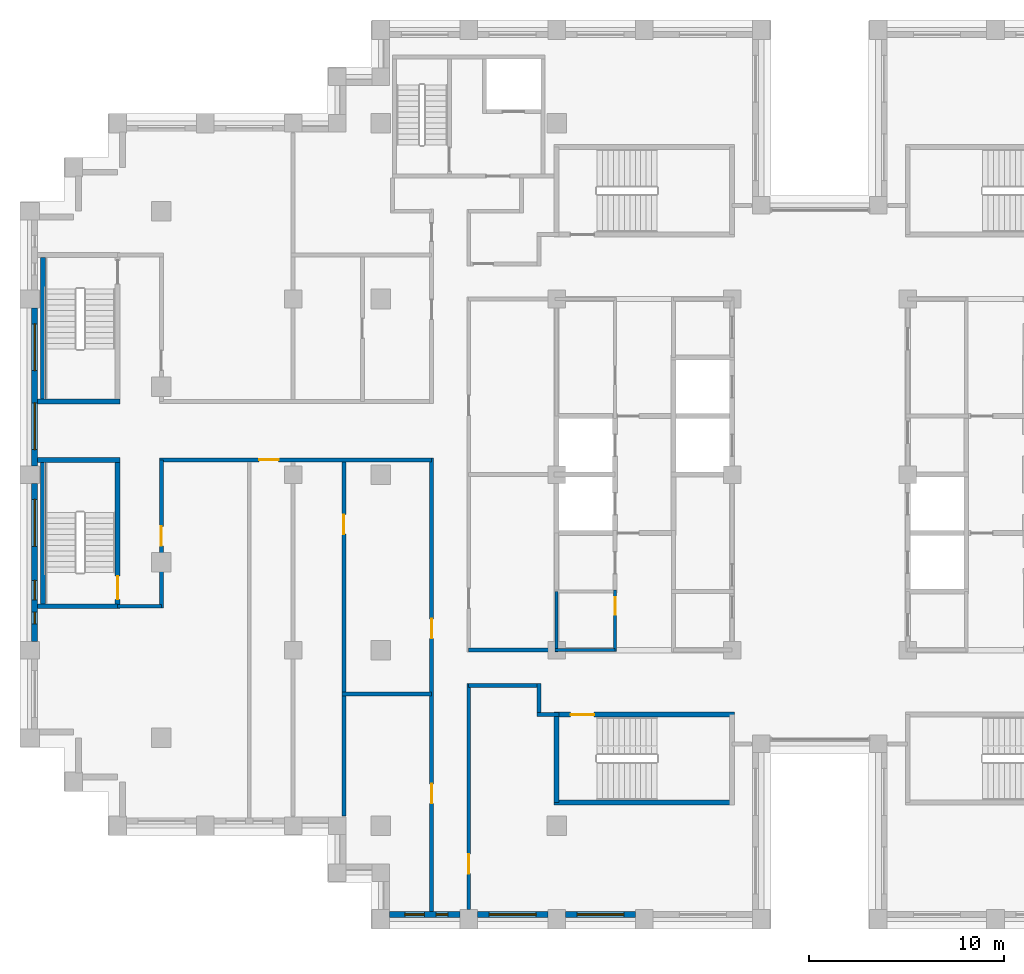
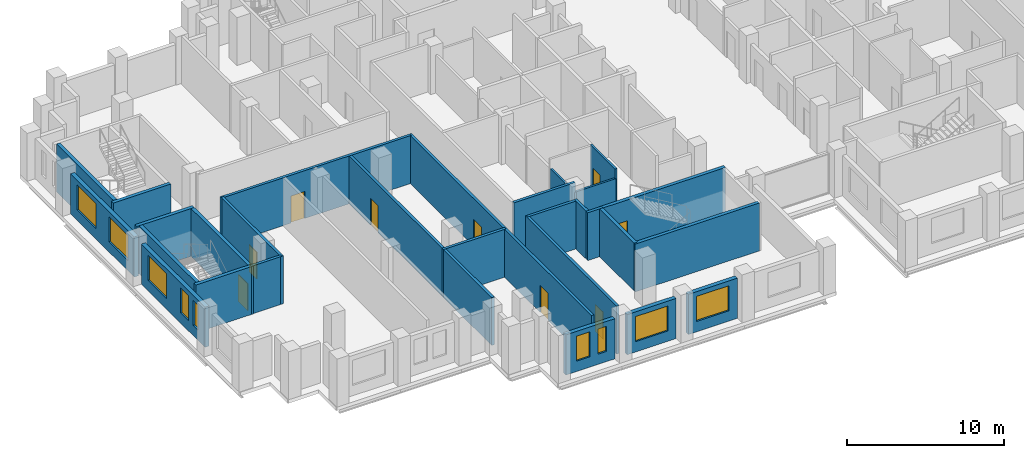
# One storey, part 6 of 15: 28 walls, 9 doors, 9 windows, 18 openings.
"""IFC4 building model written with IfcOpenShell, lengths in metres."""

from ifc_helpers import new_model, si_unit, direction, frame, frame_2d, origin, place, context, subcontext, project, spatial, rectangle, extrude, material, layer, layer_set, type_object, element, fill, save


model = new_model("IFC4")

# Units and contexts
model_context = context("Model", 3, precision=1e-05, world=origin(), true_north=direction((0.0, 1.0)))
body_context = subcontext(model_context, "Body", "Model", "MODEL_VIEW")
ifc_project = project(units=[si_unit("LENGTHUNIT", "METRE"), si_unit("AREAUNIT", "SQUARE_METRE"), si_unit("VOLUMEUNIT", "CUBIC_METRE"), si_unit("PLANEANGLEUNIT", "RADIAN"), si_unit("MASSUNIT", "GRAM", prefix="KILO")], contexts=[model_context])

# Site, building, storey
site_placement = place(None, origin())
site = spatial("IfcSite", under=ifc_project, at=site_placement, CompositionType="ELEMENT")
building_placement = place(site_placement, origin())
building = spatial("IfcBuilding", under=site, at=building_placement, Name="Corbelhall Arena Tower", CompositionType="ELEMENT")
storey_placement = place(building_placement, frame((0.0, 0.0, 196.0)))
storey = spatial("IfcBuildingStorey", under=building, at=storey_placement, Name="L40", CompositionType="ELEMENT", Elevation=196.0)

# Wall, openings, windows
ifc_material_1 = material(Name="Precast concrete C40/50 with granite facing", Category="masonry")
ifc_layer_1 = layer(ifc_material_1, 0.300048828125)
ifc_layer_set_1 = layer_set([ifc_layer_1], Name="EV-IW1 Infill panel 300")
wall_type_1 = type_object("IfcWallType", Name="EV-IW1 Infill panel 300", PredefinedType="SOLIDWALL", material=ifc_layer_set_1)
wall_1_placement = place(storey_placement, frame((-40.25, 8.550048828125, 0.0), z_axis=(0.0, 0.0, 1.0), x_axis=(0.0, -1.0, 0.0)))
wall_1 = element("IfcWall", 1, at=wall_1_placement, inside=storey, type_object=wall_type_1, Name="Infill panel IW1", PredefinedType="SOLIDWALL", context=body_context, shape_type="SweptSolid", body=[
    extrude(rectangle(XDim=8.10009765625, YDim=0.300048828125, at=frame_2d((4.050048828125, 0.0))), origin(), (0.0, 0.0, 1.0), 3.1201171875),
])
opening_1_placement = place(wall_1_placement, frame((0.824951171875, 0.0, 0.800048828125)))
opening_1 = element("IfcOpeningElement", 2, at=opening_1_placement, cuts=wall_1, Name="Opening WN1", PredefinedType="OPENING", context=body_context, shape_type="SweptSolid", body=[
    extrude(rectangle(XDim=2.39990234375, YDim=1.949951171875, at=frame_2d((1.199951171875, 0.97509765625))), frame((0.0, 0.14990234375, 0.0), z_axis=(0.0, -1.0, 0.0), x_axis=(1.0, 0.0, 0.0)), (0.0, 0.0, 1.0), 0.300048828125),
])
opening_2_placement = place(wall_1_placement, frame((4.875, 0.0, 0.800048828125)))
opening_2 = element("IfcOpeningElement", 3, at=opening_2_placement, cuts=wall_1, Name="Opening WN1", PredefinedType="OPENING", context=body_context, shape_type="SweptSolid", body=[
    extrude(rectangle(XDim=2.39990234375, YDim=1.949951171875, at=frame_2d((1.199951171875, 0.97509765625))), frame((0.0, 0.14990234375, 0.0), z_axis=(0.0, -1.0, 0.0), x_axis=(1.0, 0.0, 0.0)), (0.0, 0.0, 1.0), 0.300048828125),
])
ifc_material_2 = material(Name="Aluminium black anodised", Category="aluminium")
window_type_1 = type_object("IfcWindowType", Name="EV-WN1 Office window", PartitioningType="SINGLE_PANEL", PredefinedType="WINDOW", material=ifc_material_2)
window_1_placement = place(opening_1_placement, origin())
window_1 = element("IfcWindow", 4, at=window_1_placement, inside=storey, type_object=window_type_1, Name="Window WN1", OverallHeight=1.949951171875, OverallWidth=2.39990234375, PartitioningType="SINGLE_PANEL", PredefinedType="WINDOW", context=body_context, shape_type="SweptSolid", body=[
    extrude(rectangle(XDim=2.39990234375, YDim=1.949951171875, at=frame_2d((1.199951171875, 0.97509765625))), frame((0.0, 0.030029296875, 0.0), z_axis=(0.0, -1.0, 0.0), x_axis=(1.0, 0.0, 0.0)), (0.0, 0.0, 1.0), 0.06005859375),
])
fill(opening_1, window_1)
window_2_placement = place(opening_2_placement, origin())
window_2 = element("IfcWindow", 5, at=window_2_placement, inside=storey, type_object=window_type_1, Name="Window WN1", OverallHeight=1.949951171875, OverallWidth=2.39990234375, PartitioningType="SINGLE_PANEL", PredefinedType="WINDOW", context=body_context, shape_type="SweptSolid", body=[
    extrude(rectangle(XDim=2.39990234375, YDim=1.949951171875, at=frame_2d((1.199951171875, 0.97509765625))), frame((0.0, 0.030029296875, 0.0), z_axis=(0.0, -1.0, 0.0), x_axis=(1.0, 0.0, 0.0)), (0.0, 0.0, 1.0), 0.06005859375),
])
fill(opening_2, window_2)

wall_2_placement = place(storey_placement, frame((-40.25, -0.449951171875, 0.0), z_axis=(0.0, 0.0, 1.0), x_axis=(0.0, -1.0, 0.0)))
wall_2 = element("IfcWall", 6, at=wall_2_placement, inside=storey, type_object=wall_type_1, Name="Infill panel IW1", PredefinedType="SOLIDWALL", context=body_context, shape_type="SweptSolid", body=[
    extrude(rectangle(XDim=8.10009765625, YDim=0.300048828125, at=frame_2d((4.050048828125, 0.0))), origin(), (0.0, 0.0, 1.0), 3.1201171875),
])
opening_3_placement = place(wall_2_placement, frame((0.824951171875, 0.0, 0.800048828125)))
opening_3 = element("IfcOpeningElement", 7, at=opening_3_placement, cuts=wall_2, Name="Opening WN1", PredefinedType="OPENING", context=body_context, shape_type="SweptSolid", body=[
    extrude(rectangle(XDim=2.39990234375, YDim=1.949951171875, at=frame_2d((1.199951171875, 0.97509765625))), frame((0.0, 0.14990234375, 0.0), z_axis=(0.0, -1.0, 0.0), x_axis=(1.0, 0.0, 0.0)), (0.0, 0.0, 1.0), 0.300048828125),
])
opening_4_placement = place(wall_2_placement, frame((4.97509765625, 0.0, 0.800048828125)))
opening_4 = element("IfcOpeningElement", 8, at=opening_4_placement, cuts=wall_2, Name="Opening WN6", PredefinedType="OPENING", context=body_context, shape_type="SweptSolid", body=[
    extrude(rectangle(XDim=1.0, YDim=1.949951171875, at=frame_2d((0.5, 0.97509765625))), frame((0.0, 0.14990234375, 0.0), z_axis=(0.0, -1.0, 0.0), x_axis=(1.0, 0.0, 0.0)), (0.0, 0.0, 1.0), 0.300048828125),
])
opening_5_placement = place(wall_2_placement, frame((6.60009765625, 0.0, 0.800048828125)))
opening_5 = element("IfcOpeningElement", 9, at=opening_5_placement, cuts=wall_2, Name="Opening WN5", PredefinedType="OPENING", context=body_context, shape_type="SweptSolid", body=[
    extrude(rectangle(XDim=0.60009765625, YDim=1.949951171875, at=frame_2d((0.300048828125, 0.97509765625))), frame((0.0, 0.14990234375, 0.0), z_axis=(0.0, -1.0, 0.0), x_axis=(1.0, 0.0, 0.0)), (0.0, 0.0, 1.0), 0.300048828125),
])
window_3_placement = place(opening_3_placement, origin())
window_3 = element("IfcWindow", 10, at=window_3_placement, inside=storey, type_object=window_type_1, Name="Window WN1", OverallHeight=1.949951171875, OverallWidth=2.39990234375, PartitioningType="SINGLE_PANEL", PredefinedType="WINDOW", context=body_context, shape_type="SweptSolid", body=[
    extrude(rectangle(XDim=2.39990234375, YDim=1.949951171875, at=frame_2d((1.199951171875, 0.97509765625))), frame((0.0, 0.030029296875, 0.0), z_axis=(0.0, -1.0, 0.0), x_axis=(1.0, 0.0, 0.0)), (0.0, 0.0, 1.0), 0.06005859375),
])
fill(opening_3, window_3)
window_type_2 = type_object("IfcWindowType", Name="EV-WN5 Office window 600", PartitioningType="SINGLE_PANEL", PredefinedType="WINDOW", material=ifc_material_2)
window_4_placement = place(opening_5_placement, origin())
window_4 = element("IfcWindow", 11, at=window_4_placement, inside=storey, type_object=window_type_2, Name="Window WN5", OverallHeight=1.949951171875, OverallWidth=0.60009765625, PartitioningType="SINGLE_PANEL", PredefinedType="WINDOW", context=body_context, shape_type="SweptSolid", body=[
    extrude(rectangle(XDim=0.60009765625, YDim=1.949951171875, at=frame_2d((0.300048828125, 0.97509765625))), frame((0.0, 0.030029296875, 0.0), z_axis=(0.0, -1.0, 0.0), x_axis=(1.0, 0.0, 0.0)), (0.0, 0.0, 1.0), 0.06005859375),
])
fill(opening_5, window_4)
window_type_3 = type_object("IfcWindowType", Name="EV-WN6 Office window 1000", PartitioningType="SINGLE_PANEL", PredefinedType="WINDOW", material=ifc_material_2)
window_5_placement = place(opening_4_placement, origin())
window_5 = element("IfcWindow", 12, at=window_5_placement, inside=storey, type_object=window_type_3, Name="Window WN6", OverallHeight=1.949951171875, OverallWidth=1.0, PartitioningType="SINGLE_PANEL", PredefinedType="WINDOW", context=body_context, shape_type="SweptSolid", body=[
    extrude(rectangle(XDim=1.0, YDim=1.949951171875, at=frame_2d((0.5, 0.97509765625))), frame((0.0, 0.030029296875, 0.0), z_axis=(0.0, -1.0, 0.0), x_axis=(1.0, 0.0, 0.0)), (0.0, 0.0, 1.0), 0.06005859375),
])
fill(opening_4, window_5)

wall_3_placement = place(storey_placement, frame((-22.050048828125, -22.550048828125, 0.0), z_axis=(0.0, 0.0, 1.0), x_axis=(1.0, 0.0, 0.0)))
wall_3 = element("IfcWall", 13, at=wall_3_placement, inside=storey, type_object=wall_type_1, Name="Infill panel IW1", PredefinedType="SOLIDWALL", context=body_context, shape_type="SweptSolid", body=[
    extrude(rectangle(XDim=3.60009765625, YDim=0.300048828125, at=frame_2d((1.800048828125, 0.0))), origin(), (0.0, 0.0, 1.0), 3.1201171875),
])
opening_6_placement = place(wall_3_placement, frame((0.77490234375, 0.0, 0.800048828125)))
opening_6 = element("IfcOpeningElement", 14, at=opening_6_placement, cuts=wall_3, Name="Opening WN6", PredefinedType="OPENING", context=body_context, shape_type="SweptSolid", body=[
    extrude(rectangle(XDim=1.0, YDim=1.949951171875, at=frame_2d((0.5, 0.97509765625))), frame((0.0, 0.14990234375, 0.0), z_axis=(0.0, -1.0, 0.0), x_axis=(1.0, 0.0, 0.0)), (0.0, 0.0, 1.0), 0.300048828125),
])
opening_7_placement = place(wall_3_placement, frame((2.375, 0.0, 0.800048828125)))
opening_7 = element("IfcOpeningElement", 15, at=opening_7_placement, cuts=wall_3, Name="Opening WN5", PredefinedType="OPENING", context=body_context, shape_type="SweptSolid", body=[
    extrude(rectangle(XDim=0.60009765625, YDim=1.949951171875, at=frame_2d((0.300048828125, 0.97509765625))), frame((0.0, 0.14990234375, 0.0), z_axis=(0.0, -1.0, 0.0), x_axis=(1.0, 0.0, 0.0)), (0.0, 0.0, 1.0), 0.300048828125),
])
window_6_placement = place(opening_7_placement, origin())
window_6 = element("IfcWindow", 16, at=window_6_placement, inside=storey, type_object=window_type_2, Name="Window WN5", OverallHeight=1.949951171875, OverallWidth=0.60009765625, PartitioningType="SINGLE_PANEL", PredefinedType="WINDOW", context=body_context, shape_type="SweptSolid", body=[
    extrude(rectangle(XDim=0.60009765625, YDim=1.949951171875, at=frame_2d((0.300048828125, 0.97509765625))), frame((0.0, 0.030029296875, 0.0), z_axis=(0.0, -1.0, 0.0), x_axis=(1.0, 0.0, 0.0)), (0.0, 0.0, 1.0), 0.06005859375),
])
fill(opening_7, window_6)
window_7_placement = place(opening_6_placement, origin())
window_7 = element("IfcWindow", 17, at=window_7_placement, inside=storey, type_object=window_type_3, Name="Window WN6", OverallHeight=1.949951171875, OverallWidth=1.0, PartitioningType="SINGLE_PANEL", PredefinedType="WINDOW", context=body_context, shape_type="SweptSolid", body=[
    extrude(rectangle(XDim=1.0, YDim=1.949951171875, at=frame_2d((0.5, 0.97509765625))), frame((0.0, 0.030029296875, 0.0), z_axis=(0.0, -1.0, 0.0), x_axis=(1.0, 0.0, 0.0)), (0.0, 0.0, 1.0), 0.06005859375),
])
fill(opening_6, window_7)

# Wall, opening, window
wall_4_placement = place(storey_placement, frame((-17.550048828125, -22.550048828125, 0.0), z_axis=(0.0, 0.0, 1.0), x_axis=(1.0, 0.0, 0.0)))
wall_4 = element("IfcWall", 18, at=wall_4_placement, inside=storey, type_object=wall_type_1, Name="Infill panel IW1", PredefinedType="SOLIDWALL", context=body_context, shape_type="SweptSolid", body=[
    extrude(rectangle(XDim=3.60009765625, YDim=0.300048828125, at=frame_2d((1.800048828125, 0.0))), origin(), (0.0, 0.0, 1.0), 3.1201171875),
])
opening_8_placement = place(wall_4_placement, frame((0.60009765625, 0.0, 0.800048828125)))
opening_8 = element("IfcOpeningElement", 19, at=opening_8_placement, cuts=wall_4, Name="Opening WN1", PredefinedType="OPENING", context=body_context, shape_type="SweptSolid", body=[
    extrude(rectangle(XDim=2.39990234375, YDim=1.949951171875, at=frame_2d((1.199951171875, 0.97509765625))), frame((0.0, 0.14990234375, 0.0), z_axis=(0.0, -1.0, 0.0), x_axis=(1.0, 0.0, 0.0)), (0.0, 0.0, 1.0), 0.300048828125),
])
window_8_placement = place(opening_8_placement, origin())
window_8 = element("IfcWindow", 20, at=window_8_placement, inside=storey, type_object=window_type_1, Name="Window WN1", OverallHeight=1.949951171875, OverallWidth=2.39990234375, PartitioningType="SINGLE_PANEL", PredefinedType="WINDOW", context=body_context, shape_type="SweptSolid", body=[
    extrude(rectangle(XDim=2.39990234375, YDim=1.949951171875, at=frame_2d((1.199951171875, 0.97509765625))), frame((0.0, 0.030029296875, 0.0), z_axis=(0.0, -1.0, 0.0), x_axis=(1.0, 0.0, 0.0)), (0.0, 0.0, 1.0), 0.06005859375),
])
fill(opening_8, window_8)

wall_5_placement = place(storey_placement, frame((-13.050048828125, -22.550048828125, 0.0), z_axis=(0.0, 0.0, 1.0), x_axis=(1.0, 0.0, 0.0)))
wall_5 = element("IfcWall", 21, at=wall_5_placement, inside=storey, type_object=wall_type_1, Name="Infill panel IW1", PredefinedType="SOLIDWALL", context=body_context, shape_type="SweptSolid", body=[
    extrude(rectangle(XDim=3.60009765625, YDim=0.300048828125, at=frame_2d((1.800048828125, 0.0))), origin(), (0.0, 0.0, 1.0), 3.1201171875),
])
opening_9_placement = place(wall_5_placement, frame((0.60009765625, 0.0, 0.800048828125)))
opening_9 = element("IfcOpeningElement", 22, at=opening_9_placement, cuts=wall_5, Name="Opening WN1", PredefinedType="OPENING", context=body_context, shape_type="SweptSolid", body=[
    extrude(rectangle(XDim=2.39990234375, YDim=1.949951171875, at=frame_2d((1.199951171875, 0.97509765625))), frame((0.0, 0.14990234375, 0.0), z_axis=(0.0, -1.0, 0.0), x_axis=(1.0, 0.0, 0.0)), (0.0, 0.0, 1.0), 0.300048828125),
])
window_9_placement = place(opening_9_placement, origin())
window_9 = element("IfcWindow", 23, at=window_9_placement, inside=storey, type_object=window_type_1, Name="Window WN1", OverallHeight=1.949951171875, OverallWidth=2.39990234375, PartitioningType="SINGLE_PANEL", PredefinedType="WINDOW", context=body_context, shape_type="SweptSolid", body=[
    extrude(rectangle(XDim=2.39990234375, YDim=1.949951171875, at=frame_2d((1.199951171875, 0.97509765625))), frame((0.0, 0.030029296875, 0.0), z_axis=(0.0, -1.0, 0.0), x_axis=(1.0, 0.0, 0.0)), (0.0, 0.0, 1.0), 0.06005859375),
])
fill(opening_9, window_9)

# Wall
ifc_material_3 = material(Name="Gypsum board on steel stud, acoustic", Category="steel")
ifc_layer_2 = layer(ifc_material_3, 0.199951171875)
ifc_layer_set_2 = layer_set([ifc_layer_2], Name="IN-W-DM200")
wall_type_2 = type_object("IfcWallType", Name="IN-W-DM200", PredefinedType="PARTITIONING", material=ifc_layer_set_2)
wall_6_placement = place(storey_placement, frame((-33.75, -6.75, 0.0), z_axis=(0.0, 0.0, 1.0), x_axis=(-1.0, 0.0, 0.0)))
element("IfcWall", 24, at=wall_6_placement, inside=storey, type_object=wall_type_2, Name="Partition 003", PredefinedType="PARTITIONING", context=body_context, shape_type="SweptSolid", body=[
    extrude(rectangle(XDim=2.25, YDim=0.199951171875, at=frame_2d((1.125, 0.0))), origin(), (0.0, 0.0, 1.0), 3.719970703125),
])

# Wall, opening, door
wall_7_placement = place(storey_placement, frame((-33.75, 0.75, 0.0), z_axis=(0.0, 0.0, 1.0), x_axis=(0.0, -1.0, 0.0)))
wall_7 = element("IfcWall", 25, at=wall_7_placement, inside=storey, type_object=wall_type_2, Name="Partition 004", PredefinedType="PARTITIONING", context=body_context, shape_type="SweptSolid", body=[
    extrude(rectangle(XDim=7.60009765625, YDim=0.199951171875, at=frame_2d((3.800048828125, 0.0))), origin(), (0.0, 0.0, 1.0), 3.719970703125),
])
opening_10_placement = place(wall_7_placement, frame((3.39990234375, 0.0, 0.0)))
opening_10 = element("IfcOpeningElement", 26, at=opening_10_placement, cuts=wall_7, Name="Opening 12044", PredefinedType="OPENING", context=body_context, shape_type="SweptSolid", body=[
    extrude(rectangle(XDim=1.0, YDim=2.10009765625, at=frame_2d((0.5, 1.050048828125))), frame((0.0, 0.10009765625, 0.0), z_axis=(0.0, -1.0, 0.0), x_axis=(1.0, 0.0, 0.0)), (0.0, 0.0, 1.0), 0.199951171875),
])
ifc_material_4 = material(Name="Steel door set", Category="steel")
door_type_1 = type_object("IfcDoorType", Name="IN-D-SW100", OperationType="NOTDEFINED", PredefinedType="DOOR", material=ifc_material_4)
door_1_placement = place(opening_10_placement, origin())
door_1 = element("IfcDoor", 27, at=door_1_placement, inside=storey, type_object=door_type_1, Name="Door 044", OperationType="SINGLE_SWING_LEFT", OverallHeight=2.10009765625, OverallWidth=1.0, PredefinedType="DOOR", context=body_context, shape_type="SweptSolid", body=[
    extrude(rectangle(XDim=1.0, YDim=2.10009765625, at=frame_2d((0.5, 1.050048828125))), frame((0.0, 0.02490234375, 0.0), z_axis=(0.0, -1.0, 0.0), x_axis=(1.0, 0.0, 0.0)), (0.0, 0.0, 1.0), 0.050048828125),
])
fill(opening_10, door_1)

wall_8_placement = place(storey_placement, frame((-19.89990234375, 0.75, 0.0), z_axis=(0.0, 0.0, 1.0), x_axis=(-1.0, 0.0, 0.0)))
wall_8 = element("IfcWall", 28, at=wall_8_placement, inside=storey, type_object=wall_type_2, Name="Partition 007", PredefinedType="PARTITIONING", context=body_context, shape_type="SweptSolid", body=[
    extrude(rectangle(XDim=13.9501953125, YDim=0.199951171875, at=frame_2d((6.97509765625, 0.0))), origin(), (0.0, 0.0, 1.0), 3.719970703125),
])
opening_11_placement = place(wall_8_placement, frame((7.85009765625, 0.0, 0.0)))
opening_11 = element("IfcOpeningElement", 29, at=opening_11_placement, cuts=wall_8, Name="Opening 12045", PredefinedType="OPENING", context=body_context, shape_type="SweptSolid", body=[
    extrude(rectangle(XDim=1.0, YDim=2.10009765625, at=frame_2d((0.5, 1.050048828125))), frame((0.0, 0.10009765625, 0.0), z_axis=(0.0, -1.0, 0.0), x_axis=(1.0, 0.0, 0.0)), (0.0, 0.0, 1.0), 0.199951171875),
])
door_2_placement = place(opening_11_placement, origin())
door_2 = element("IfcDoor", 30, at=door_2_placement, inside=storey, type_object=door_type_1, Name="Door 045", OperationType="SINGLE_SWING_RIGHT", OverallHeight=2.10009765625, OverallWidth=1.0, PredefinedType="DOOR", context=body_context, shape_type="SweptSolid", body=[
    extrude(rectangle(XDim=1.0, YDim=2.10009765625, at=frame_2d((0.5, 1.050048828125))), frame((0.0, 0.02490234375, 0.0), z_axis=(0.0, -1.0, 0.0), x_axis=(1.0, 0.0, 0.0)), (0.0, 0.0, 1.0), 0.050048828125),
])
fill(opening_11, door_2)

# Wall
wall_9_placement = place(storey_placement, frame((-24.5, -11.25, 0.0), z_axis=(0.0, 0.0, 1.0), x_axis=(1.0, 0.0, 0.0)))
element("IfcWall", 31, at=wall_9_placement, inside=storey, type_object=wall_type_2, Name="Partition 011", PredefinedType="PARTITIONING", context=body_context, shape_type="SweptSolid", body=[
    extrude(rectangle(XDim=4.60009765625, YDim=0.199951171875, at=frame_2d((2.300048828125, 0.0))), origin(), (0.0, 0.0, 1.0), 3.719970703125),
])

# Wall, opening, door
wall_10_placement = place(storey_placement, frame((-24.39990234375, -17.5, 0.0), z_axis=(0.0, 0.0, 1.0), x_axis=(0.0, 1.0, 0.0)))
wall_10 = element("IfcWall", 32, at=wall_10_placement, inside=storey, type_object=wall_type_2, Name="Partition 012", PredefinedType="PARTITIONING", context=body_context, shape_type="SweptSolid", body=[
    extrude(rectangle(XDim=18.25, YDim=0.199951171875, at=frame_2d((9.125, 0.0))), origin(), (0.0, 0.0, 1.0), 3.719970703125),
])
opening_12_placement = place(wall_10_placement, frame((14.449951171875, 0.0, 0.0)))
opening_12 = element("IfcOpeningElement", 33, at=opening_12_placement, cuts=wall_10, Name="Opening 12035", PredefinedType="OPENING", context=body_context, shape_type="SweptSolid", body=[
    extrude(rectangle(XDim=1.0, YDim=2.10009765625, at=frame_2d((0.5, 1.050048828125))), frame((0.0, 0.10009765625, 0.0), z_axis=(0.0, -1.0, 0.0), x_axis=(1.0, 0.0, 0.0)), (0.0, 0.0, 1.0), 0.199951171875),
])
door_3_placement = place(opening_12_placement, origin())
door_3 = element("IfcDoor", 34, at=door_3_placement, inside=storey, type_object=door_type_1, Name="Door 035", OperationType="SINGLE_SWING_RIGHT", OverallHeight=2.10009765625, OverallWidth=1.0, PredefinedType="DOOR", context=body_context, shape_type="SweptSolid", body=[
    extrude(rectangle(XDim=1.0, YDim=2.10009765625, at=frame_2d((0.5, 1.050048828125))), frame((0.0, 0.02490234375, 0.0), z_axis=(0.0, -1.0, 0.0), x_axis=(1.0, 0.0, 0.0)), (0.0, 0.0, 1.0), 0.050048828125),
])
fill(opening_12, door_3)

# Wall, openings, doors
wall_11_placement = place(storey_placement, frame((-19.89990234375, -22.39990234375, 0.0), z_axis=(0.0, 0.0, 1.0), x_axis=(0.0, 1.0, 0.0)))
wall_11 = element("IfcWall", 35, at=wall_11_placement, inside=storey, type_object=wall_type_2, Name="Partition 015", PredefinedType="PARTITIONING", context=body_context, shape_type="SweptSolid", body=[
    extrude(rectangle(XDim=23.25, YDim=0.199951171875, at=frame_2d((11.625, 0.0))), origin(), (0.0, 0.0, 1.0), 3.719970703125),
])
opening_13_placement = place(wall_11_placement, frame((5.550048828125, 0.0, 0.0)))
opening_13 = element("IfcOpeningElement", 36, at=opening_13_placement, cuts=wall_11, Name="Opening 12033", PredefinedType="OPENING", context=body_context, shape_type="SweptSolid", body=[
    extrude(rectangle(XDim=1.0, YDim=2.10009765625, at=frame_2d((0.5, 1.050048828125))), frame((0.0, 0.10009765625, 0.0), z_axis=(0.0, -1.0, 0.0), x_axis=(1.0, 0.0, 0.0)), (0.0, 0.0, 1.0), 0.199951171875),
])
opening_14_placement = place(wall_11_placement, frame((14.0, 0.0, 0.0)))
opening_14 = element("IfcOpeningElement", 37, at=opening_14_placement, cuts=wall_11, Name="Opening 12034", PredefinedType="OPENING", context=body_context, shape_type="SweptSolid", body=[
    extrude(rectangle(XDim=1.0, YDim=2.10009765625, at=frame_2d((0.5, 1.050048828125))), frame((0.0, 0.10009765625, 0.0), z_axis=(0.0, -1.0, 0.0), x_axis=(1.0, 0.0, 0.0)), (0.0, 0.0, 1.0), 0.199951171875),
])
door_4_placement = place(opening_13_placement, origin())
door_4 = element("IfcDoor", 38, at=door_4_placement, inside=storey, type_object=door_type_1, Name="Door 033", OperationType="SINGLE_SWING_RIGHT", OverallHeight=2.10009765625, OverallWidth=1.0, PredefinedType="DOOR", context=body_context, shape_type="SweptSolid", body=[
    extrude(rectangle(XDim=1.0, YDim=2.10009765625, at=frame_2d((0.5, 1.050048828125))), frame((0.0, 0.02490234375, 0.0), z_axis=(0.0, -1.0, 0.0), x_axis=(1.0, 0.0, 0.0)), (0.0, 0.0, 1.0), 0.050048828125),
])
fill(opening_13, door_4)
door_5_placement = place(opening_14_placement, origin())
door_5 = element("IfcDoor", 39, at=door_5_placement, inside=storey, type_object=door_type_1, Name="Door 034", OperationType="SINGLE_SWING_LEFT", OverallHeight=2.10009765625, OverallWidth=1.0, PredefinedType="DOOR", context=body_context, shape_type="SweptSolid", body=[
    extrude(rectangle(XDim=1.0, YDim=2.10009765625, at=frame_2d((0.5, 1.050048828125))), frame((0.0, 0.02490234375, 0.0), z_axis=(0.0, -1.0, 0.0), x_axis=(1.0, 0.0, 0.0)), (0.0, 0.0, 1.0), 0.050048828125),
])
fill(opening_14, door_5)

# Wall, opening, door
wall_12_placement = place(storey_placement, frame((-18.0, -10.699951171875, 0.0), z_axis=(0.0, 0.0, 1.0), x_axis=(0.0, -1.0, 0.0)))
wall_12 = element("IfcWall", 40, at=wall_12_placement, inside=storey, type_object=wall_type_2, Name="Partition 018", PredefinedType="PARTITIONING", context=body_context, shape_type="SweptSolid", body=[
    extrude(rectangle(XDim=11.60009765625, YDim=0.199951171875, at=frame_2d((5.800048828125, 0.0))), origin(), (0.0, 0.0, 1.0), 3.719970703125),
])
opening_15_placement = place(wall_12_placement, frame((8.75, 0.0, 0.0)))
opening_15 = element("IfcOpeningElement", 41, at=opening_15_placement, cuts=wall_12, Name="Opening 12029", PredefinedType="OPENING", context=body_context, shape_type="SweptSolid", body=[
    extrude(rectangle(XDim=1.0, YDim=2.10009765625, at=frame_2d((0.5, 1.050048828125))), frame((0.0, 0.10009765625, 0.0), z_axis=(0.0, -1.0, 0.0), x_axis=(1.0, 0.0, 0.0)), (0.0, 0.0, 1.0), 0.199951171875),
])
door_6_placement = place(opening_15_placement, origin())
door_6 = element("IfcDoor", 42, at=door_6_placement, inside=storey, type_object=door_type_1, Name="Door 029", OperationType="SINGLE_SWING_RIGHT", OverallHeight=2.10009765625, OverallWidth=1.0, PredefinedType="DOOR", context=body_context, shape_type="SweptSolid", body=[
    extrude(rectangle(XDim=1.0, YDim=2.10009765625, at=frame_2d((0.5, 1.050048828125))), frame((0.0, 0.02490234375, 0.0), z_axis=(0.0, -1.0, 0.0), x_axis=(1.0, 0.0, 0.0)), (0.0, 0.0, 1.0), 0.050048828125),
])
fill(opening_15, door_6)

# Walls
wall_13_placement = place(storey_placement, frame((-18.0, -9.0, 0.0), z_axis=(0.0, 0.0, 1.0), x_axis=(1.0, 0.0, 0.0)))
element("IfcWall", 43, at=wall_13_placement, inside=storey, type_object=wall_type_2, Name="Partition 019", PredefinedType="PARTITIONING", context=body_context, shape_type="SweptSolid", body=[
    extrude(rectangle(XDim=4.5, YDim=0.199951171875, at=frame_2d((2.25, 0.0))), origin(), (0.0, 0.0, 1.0), 3.719970703125),
])
wall_14_placement = place(storey_placement, frame((-14.39990234375, -12.300048828125, 0.0), z_axis=(0.0, 0.0, 1.0), x_axis=(0.0, 1.0, 0.0)))
element("IfcWall", 44, at=wall_14_placement, inside=storey, type_object=wall_type_2, Name="Partition 027", PredefinedType="PARTITIONING", context=body_context, shape_type="SweptSolid", body=[
    extrude(rectangle(XDim=1.60009765625, YDim=0.199951171875, at=frame_2d((0.800048828125, 0.0))), origin(), (0.0, 0.0, 1.0), 3.719970703125),
])
wall_15_placement = place(storey_placement, frame((-14.39990234375, -10.800048828125, 0.0), z_axis=(0.0, 0.0, 1.0), x_axis=(-1.0, 0.0, 0.0)))
element("IfcWall", 45, at=wall_15_placement, inside=storey, type_object=wall_type_2, Name="Partition 028", PredefinedType="PARTITIONING", context=body_context, shape_type="SweptSolid", body=[
    extrude(rectangle(XDim=3.60009765625, YDim=0.199951171875, at=frame_2d((1.800048828125, 0.0))), origin(), (0.0, 0.0, 1.0), 3.719970703125),
])
wall_16_placement = place(storey_placement, frame((-13.375, -12.300048828125, 0.0), z_axis=(0.0, 0.0, 1.0), x_axis=(-1.0, 0.0, 0.0)))
element("IfcWall", 46, at=wall_16_placement, inside=storey, type_object=wall_type_2, Name="Partition 031", PredefinedType="PARTITIONING", context=body_context, shape_type="SweptSolid", body=[
    extrude(rectangle(XDim=1.125, YDim=0.199951171875, at=frame_2d((0.5625, 0.0))), origin(), (0.0, 0.0, 1.0), 3.719970703125),
])
ifc_material_5 = material(Name="Concrete C40/50", Category="concrete")
ifc_layer_3 = layer(ifc_material_5, 0.25)
ifc_layer_set_3 = layer_set([ifc_layer_3], Name="IN-W-ST250")
wall_type_3 = type_object("IfcWallType", Name="IN-W-ST250", PredefinedType="SOLIDWALL", material=ifc_layer_set_3)
wall_17_placement = place(storey_placement, frame((-40.10009765625, 3.75, 0.0), z_axis=(0.0, 0.0, 1.0), x_axis=(1.0, 0.0, 0.0)))
element("IfcWall", 47, at=wall_17_placement, inside=storey, type_object=wall_type_3, Name="Shaft wall 096", PredefinedType="SOLIDWALL", context=body_context, shape_type="SweptSolid", body=[
    extrude(rectangle(XDim=4.22509765625, YDim=0.25, at=frame_2d((2.112548828125, 0.0))), origin(), (0.0, 0.0, 1.0), 3.719970703125),
])
wall_18_placement = place(storey_placement, frame((-36.0, -6.75, 0.0), z_axis=(0.0, 0.0, 1.0), x_axis=(-1.0, 0.0, 0.0)))
element("IfcWall", 48, at=wall_18_placement, inside=storey, type_object=wall_type_3, Name="Shaft wall 098", PredefinedType="SOLIDWALL", context=body_context, shape_type="SweptSolid", body=[
    extrude(rectangle(XDim=4.10009765625, YDim=0.25, at=frame_2d((2.050048828125, 0.0))), origin(), (0.0, 0.0, 1.0), 3.719970703125),
])

# Wall, opening, door
wall_19_placement = place(storey_placement, frame((-36.0, 0.75, 0.0), z_axis=(0.0, 0.0, 1.0), x_axis=(0.0, -1.0, 0.0)))
wall_19 = element("IfcWall", 49, at=wall_19_placement, inside=storey, type_object=wall_type_3, Name="Shaft wall 099", PredefinedType="SOLIDWALL", context=body_context, shape_type="SweptSolid", body=[
    extrude(rectangle(XDim=7.625, YDim=0.25, at=frame_2d((3.8125, 0.0))), origin(), (0.0, 0.0, 1.0), 3.719970703125),
])
opening_16_placement = place(wall_19_placement, frame((5.949951171875, 0.0, 0.0)))
opening_16 = element("IfcOpeningElement", 50, at=opening_16_placement, cuts=wall_19, Name="Opening 12022", PredefinedType="OPENING", context=body_context, shape_type="SweptSolid", body=[
    extrude(rectangle(XDim=1.199951171875, YDim=2.10009765625, at=frame_2d((0.60009765625, 1.050048828125))), frame((0.0, 0.125, 0.0), z_axis=(0.0, -1.0, 0.0), x_axis=(1.0, 0.0, 0.0)), (0.0, 0.0, 1.0), 0.25),
])
door_type_2 = type_object("IfcDoorType", Name="IN-D-ST120", OperationType="NOTDEFINED", PredefinedType="DOOR", material=ifc_material_4)
door_7_placement = place(opening_16_placement, origin())
door_7 = element("IfcDoor", 51, at=door_7_placement, inside=storey, type_object=door_type_2, Name="Door 022", OperationType="SINGLE_SWING_LEFT", OverallHeight=2.10009765625, OverallWidth=1.199951171875, PredefinedType="DOOR", context=body_context, shape_type="SweptSolid", body=[
    extrude(rectangle(XDim=1.199951171875, YDim=2.10009765625, at=frame_2d((0.60009765625, 1.050048828125))), frame((0.0, 0.02490234375, 0.0), z_axis=(0.0, -1.0, 0.0), x_axis=(1.0, 0.0, 0.0)), (0.0, 0.0, 1.0), 0.050048828125),
])
fill(opening_16, door_7)

# Walls
wall_20_placement = place(storey_placement, frame((-35.875, 0.75, 0.0), z_axis=(0.0, 0.0, 1.0), x_axis=(-1.0, 0.0, 0.0)))
element("IfcWall", 52, at=wall_20_placement, inside=storey, type_object=wall_type_3, Name="Shaft wall 101", PredefinedType="SOLIDWALL", context=body_context, shape_type="SweptSolid", body=[
    extrude(rectangle(XDim=4.22509765625, YDim=0.25, at=frame_2d((2.112548828125, 0.0))), origin(), (0.0, 0.0, 1.0), 3.719970703125),
])
wall_21_placement = place(storey_placement, frame((-13.5, -16.800048828125, 0.0), z_axis=(0.0, 0.0, 1.0), x_axis=(0.0, 1.0, 0.0)))
element("IfcWall", 53, at=wall_21_placement, inside=storey, type_object=wall_type_3, Name="Shaft wall 104", PredefinedType="SOLIDWALL", context=body_context, shape_type="SweptSolid", body=[
    extrude(rectangle(XDim=4.5, YDim=0.25, at=frame_2d((2.25, 0.0))), origin(), (0.0, 0.0, 1.0), 3.719970703125),
])
wall_22_placement = place(storey_placement, frame((-4.5, -16.800048828125, 0.0), z_axis=(0.0, 0.0, 1.0), x_axis=(-1.0, 0.0, 0.0)))
element("IfcWall", 54, at=wall_22_placement, inside=storey, type_object=wall_type_3, Name="Shaft wall 106", PredefinedType="SOLIDWALL", context=body_context, shape_type="SweptSolid", body=[
    extrude(rectangle(XDim=9.125, YDim=0.25, at=frame_2d((4.5625, 0.0))), origin(), (0.0, 0.0, 1.0), 3.719970703125),
])

# Wall, opening, door
wall_23_placement = place(storey_placement, frame((-4.375, -12.300048828125, 0.0), z_axis=(0.0, 0.0, 1.0), x_axis=(-1.0, 0.0, 0.0)))
wall_23 = element("IfcWall", 55, at=wall_23_placement, inside=storey, type_object=wall_type_3, Name="Shaft wall 109", PredefinedType="SOLIDWALL", context=body_context, shape_type="SweptSolid", body=[
    extrude(rectangle(XDim=9.25, YDim=0.25, at=frame_2d((4.625, 0.0))), origin(), (0.0, 0.0, 1.0), 3.719970703125),
])
opening_17_placement = place(wall_23_placement, frame((7.199951171875, 0.0, 0.0)))
opening_17 = element("IfcOpeningElement", 56, at=opening_17_placement, cuts=wall_23, Name="Opening 12018", PredefinedType="OPENING", context=body_context, shape_type="SweptSolid", body=[
    extrude(rectangle(XDim=1.199951171875, YDim=2.10009765625, at=frame_2d((0.60009765625, 1.050048828125))), frame((0.0, 0.125, 0.0), z_axis=(0.0, -1.0, 0.0), x_axis=(1.0, 0.0, 0.0)), (0.0, 0.0, 1.0), 0.25),
])
door_8_placement = place(opening_17_placement, origin())
door_8 = element("IfcDoor", 57, at=door_8_placement, inside=storey, type_object=door_type_2, Name="Door 018", OperationType="SINGLE_SWING_LEFT", OverallHeight=2.10009765625, OverallWidth=1.199951171875, PredefinedType="DOOR", context=body_context, shape_type="SweptSolid", body=[
    extrude(rectangle(XDim=1.199951171875, YDim=2.10009765625, at=frame_2d((0.60009765625, 1.050048828125))), frame((0.0, 0.02490234375, 0.0), z_axis=(0.0, -1.0, 0.0), x_axis=(1.0, 0.0, 0.0)), (0.0, 0.0, 1.0), 0.050048828125),
])
fill(opening_17, door_8)

# Walls
for number, where, z_axis, x_axis, name in (
    (58, (-39.824951171875, 3.875, 0.0), (0.0, 0.0, 1.0), (0.0, 1.0, 0.0), "Shaft wall SC1 facade side"),
    (59, (-39.824951171875, -6.625, 0.0), (0.0, 0.0, 1.0), (0.0, 1.0, 0.0), "Shaft wall SC2 facade side"),
):
    element("IfcWall", number, at=place(storey_placement, frame(where, z_axis=z_axis, x_axis=x_axis)), inside=storey, type_object=wall_type_3, Name=name, PredefinedType="SOLIDWALL", context=body_context, shape_type="SweptSolid", body=[
        extrude(rectangle(XDim=7.25, YDim=0.25, at=frame_2d((3.625, 0.0))), origin(), (0.0, 0.0, 1.0), 3.719970703125),
    ])

# Wall, opening, door
ifc_material_6 = material(Name="Gypsum board on steel stud, moisture resistant", Category="steel")
ifc_layer_4 = layer(ifc_material_6, 0.14990234375)
ifc_layer_set_4 = layer_set([ifc_layer_4], Name="IN-W-WC150")
wall_type_4 = type_object("IfcWallType", Name="IN-W-WC150", PredefinedType="PARTITIONING", material=ifc_layer_set_4)
wall_24_placement = place(storey_placement, frame((-10.5, -9.074951171875, 0.0), z_axis=(0.0, 0.0, 1.0), x_axis=(0.0, 1.0, 0.0)))
wall_24 = element("IfcWall", 60, at=wall_24_placement, inside=storey, type_object=wall_type_4, Name="Partition 122", PredefinedType="PARTITIONING", context=body_context, shape_type="SweptSolid", body=[
    extrude(rectangle(XDim=3.14990234375, YDim=0.14990234375, at=frame_2d((1.574951171875, 0.0))), origin(), (0.0, 0.0, 1.0), 3.719970703125),
])
opening_18_placement = place(wall_24_placement, frame((1.89990234375, 0.0, 0.0)))
opening_18 = element("IfcOpeningElement", 61, at=opening_18_placement, cuts=wall_24, Name="Opening 12006", PredefinedType="OPENING", context=body_context, shape_type="SweptSolid", body=[
    extrude(rectangle(XDim=0.89990234375, YDim=2.10009765625, at=frame_2d((0.449951171875, 1.050048828125))), frame((0.0, 0.074951171875, 0.0), z_axis=(0.0, -1.0, 0.0), x_axis=(1.0, 0.0, 0.0)), (0.0, 0.0, 1.0), 0.14990234375),
])
ifc_material_7 = material(Name="Timber door set", Category="wood")
door_type_3 = type_object("IfcDoorType", Name="IN-D-SW90", OperationType="NOTDEFINED", PredefinedType="DOOR", material=ifc_material_7)
door_9_placement = place(opening_18_placement, origin())
door_9 = element("IfcDoor", 62, at=door_9_placement, inside=storey, type_object=door_type_3, Name="Door 006", OperationType="SINGLE_SWING_LEFT", OverallHeight=2.10009765625, OverallWidth=0.89990234375, PredefinedType="DOOR", context=body_context, shape_type="SweptSolid", body=[
    extrude(rectangle(XDim=0.89990234375, YDim=2.10009765625, at=frame_2d((0.449951171875, 1.050048828125))), frame((0.0, 0.02490234375, 0.0), z_axis=(0.0, -1.0, 0.0), x_axis=(1.0, 0.0, 0.0)), (0.0, 0.0, 1.0), 0.050048828125),
])
fill(opening_18, door_9)

# Walls
ifc_layer_5 = layer(ifc_material_6, 0.14990234375)
ifc_layer_set_5 = layer_set([ifc_layer_5], Name="IN-W-WC150 under beam 762 mm")
wall_type_5 = type_object("IfcWallType", Name="IN-W-WC150 under beam 762 mm", PredefinedType="PARTITIONING", material=ifc_layer_set_5)
wall_25_placement = place(storey_placement, frame((-13.5, -9.10009765625, 0.0), z_axis=(0.0, 0.0, 1.0), x_axis=(0.0, 1.0, 0.0)))
element("IfcWall", 63, at=wall_25_placement, inside=storey, type_object=wall_type_5, Name="Partition 120", PredefinedType="PARTITIONING", context=body_context, shape_type="SweptSolid", body=[
    extrude(rectangle(XDim=3.10009765625, YDim=0.14990234375, at=frame_2d((1.550048828125, 0.0))), origin(), (0.0, 0.0, 1.0), 2.9580078125),
])
wall_26_placement = place(storey_placement, frame((-10.5, -9.0, 0.0), z_axis=(0.0, 0.0, 1.0), x_axis=(-1.0, 0.0, 0.0)))
element("IfcWall", 64, at=wall_26_placement, inside=storey, type_object=wall_type_5, Name="Partition 123", PredefinedType="PARTITIONING", context=body_context, shape_type="SweptSolid", body=[
    extrude(rectangle(XDim=3.074951171875, YDim=0.14990234375, at=frame_2d((1.53759765625, 0.0))), origin(), (0.0, 0.0, 1.0), 2.9580078125),
])

save(model, "model.ifc")
